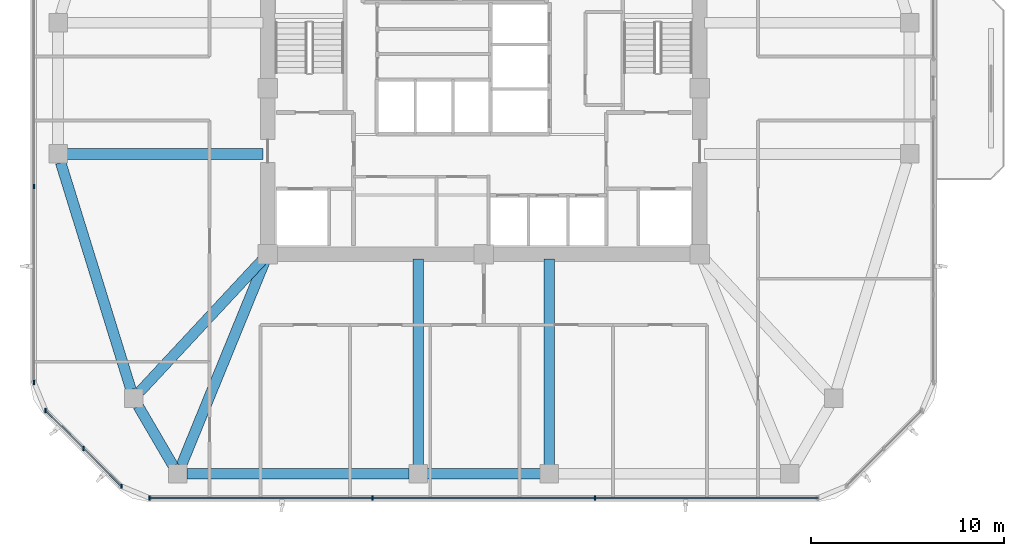
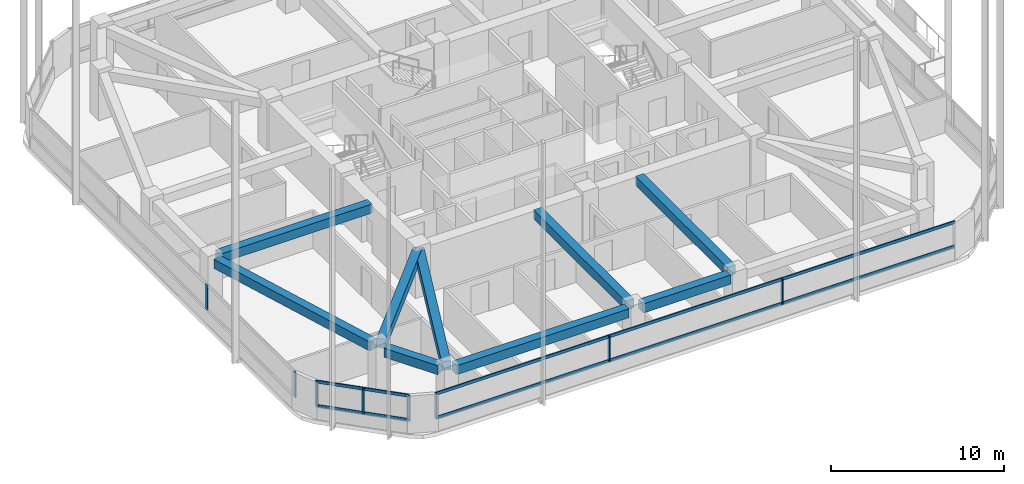
# One storey, part 2 of 14: 12 members, 9 beams, 3 elements without a shape of their own.
"""IFC4 building model written with IfcOpenShell, lengths in metres."""

from ifc_helpers import new_model, si_unit, derived_unit, direction, frame, origin, origin_2d, place, context, subcontext, project, spatial, rectangle, extrude, material, material_profile, profile_set, type_object, element, aggregate, save


model = new_model("IFC4")

# Units and contexts
model_context = context("Model", 3, precision=1e-05, world=origin(), true_north=direction((0.0, 1.0)))
body_context = subcontext(model_context, "Body", "Model", "MODEL_VIEW")
ifc_project = project(units=[si_unit("LENGTHUNIT", "METRE"), si_unit("AREAUNIT", "SQUARE_METRE"), si_unit("VOLUMEUNIT", "CUBIC_METRE"), si_unit("PLANEANGLEUNIT", "RADIAN"), si_unit("MASSUNIT", "GRAM", prefix="KILO"), derived_unit("THERMALTRANSMITTANCEUNIT", [(si_unit("POWERUNIT", "WATT"), 1), (si_unit("LENGTHUNIT", "METRE"), -2), (si_unit("THERMODYNAMICTEMPERATUREUNIT", "KELVIN"), -1)])], contexts=[model_context])

# Site, building, storey
site_placement = place(None, origin())
site = spatial("IfcSite", under=ifc_project, at=site_placement, CompositionType="ELEMENT")
building_placement = place(site_placement, origin())
building = spatial("IfcBuilding", under=site, at=building_placement, Name="Koralith Skygarden Medical Center", CompositionType="ELEMENT")
storey_placement = place(building_placement, frame((0.0, 0.0, 174.419921875)))
storey = spatial("IfcBuildingStorey", under=building, at=storey_placement, Name="L45", CompositionType="ELEMENT", Elevation=174.419921875)

# Curtain wall, members
ifc_material_1 = material(Name="Clear Laminated Glass", Category="glass")
curtain_wall_type = type_object("IfcCurtainWallType", Name="CW-4 Zone 3 Waist High-Wind Curtain Wall", PredefinedType="NOTDEFINED", material=ifc_material_1)
curtain_wall_1_placement = place(storey_placement, origin())
curtain_wall_1 = element("IfcCurtainWall", 1, at=curtain_wall_1_placement, inside=storey, type_object=curtain_wall_type, Name="Curtain Wall CW-L45-S", PredefinedType="NOTDEFINED")
ifc_material_2 = material(Name="Aluminium 6063-T6", Category="aluminium")
ifc_material_profile_1 = material_profile(ifc_material_2, rectangle(XDim=0.076904296875, YDim=0.22998046875, at=origin_2d()), Name="MUL77X230")
ifc_profile_set_1 = profile_set([ifc_material_profile_1], Name="Aluminium 6063-T6")
member_type_1 = type_object("IfcMemberType", Name="CW-4 Extruded Mullion 77x230", PredefinedType="MULLION", material=ifc_profile_set_1)
member_1_placement = place(storey_placement, frame((19.6708984375, 4.679931640625, 0.85009765625), z_axis=(0.0, 0.0, 1.0), x_axis=(1.0, 0.0, 0.0)))
member_1 = element("IfcMember", 2, at=member_1_placement, type_object=member_type_1, Name="CW-L45-S Mullion 1", PredefinedType="MULLION", context=body_context, shape_type="SweptSolid", body=[
    extrude(rectangle(XDim=0.076904296875, YDim=0.22998046875, at=origin_2d()), origin(), (0.0, 0.0, 1.0), 1.800048828125),
])
member_2_placement = place(storey_placement, frame((31.22412109375, 4.679931640625, 0.85009765625), z_axis=(0.0, 0.0, 1.0), x_axis=(1.0, 0.0, 0.0)))
member_2 = element("IfcMember", 3, at=member_2_placement, type_object=member_type_1, Name="CW-L45-S Mullion 2", PredefinedType="MULLION", context=body_context, shape_type="SweptSolid", body=[
    extrude(rectangle(XDim=0.076904296875, YDim=0.22998046875, at=origin_2d()), origin(), (0.0, 0.0, 1.0), 1.800048828125),
])
member_3_placement = place(storey_placement, frame((42.77587890625, 4.679931640625, 0.85009765625), z_axis=(0.0, 0.0, 1.0), x_axis=(1.0, 0.0, 0.0)))
member_3 = element("IfcMember", 4, at=member_3_placement, type_object=member_type_1, Name="CW-L45-S Mullion 3", PredefinedType="MULLION", context=body_context, shape_type="SweptSolid", body=[
    extrude(rectangle(XDim=0.076904296875, YDim=0.22998046875, at=origin_2d()), origin(), (0.0, 0.0, 1.0), 1.800048828125),
])

curtain_wall_2_placement = place(storey_placement, origin())
curtain_wall_2 = element("IfcCurtainWall", 5, at=curtain_wall_2_placement, inside=storey, type_object=curtain_wall_type, Name="Curtain Wall CW-L45-W", PredefinedType="NOTDEFINED")
member_4_placement = place(storey_placement, frame((13.696044921875, 20.818115234375, 0.85009765625), z_axis=(0.0, 0.0, 1.0), x_axis=(1.0, 0.0, 0.0)))
member_4 = element("IfcMember", 6, at=member_4_placement, type_object=member_type_1, Name="CW-L45-W Mullion 3", PredefinedType="MULLION", context=body_context, shape_type="SweptSolid", body=[
    extrude(rectangle(XDim=0.076904296875, YDim=0.22998046875, at=origin_2d()), origin(), (0.0, 0.0, 1.0), 1.800048828125),
])
member_5_placement = place(storey_placement, frame((13.696044921875, 10.655029296875, 0.85009765625), z_axis=(0.0, 0.0, 1.0), x_axis=(1.0, 0.0, 0.0)))
member_5 = element("IfcMember", 7, at=member_5_placement, type_object=member_type_1, Name="CW-L45-W Mullion 4", PredefinedType="MULLION", context=body_context, shape_type="SweptSolid", body=[
    extrude(rectangle(XDim=0.076904296875, YDim=0.22998046875, at=origin_2d()), origin(), (0.0, 0.0, 1.0), 1.800048828125),
])
aggregate(curtain_wall_2, [member_4, member_5])

curtain_wall_3_placement = place(storey_placement, origin())
curtain_wall_3 = element("IfcCurtainWall", 8, at=curtain_wall_3_placement, inside=storey, type_object=curtain_wall_type, Name="Curtain Wall CW-L45-SW", PredefinedType="NOTDEFINED")
member_6_placement = place(storey_placement, frame((14.297119140625, 9.2041015625, 0.85009765625), z_axis=(0.0, 0.0, 1.0), x_axis=(1.0, 0.0, 0.0)))
member_6 = element("IfcMember", 9, at=member_6_placement, type_object=member_type_1, Name="CW-L45-SW Mullion 1", PredefinedType="MULLION", context=body_context, shape_type="SweptSolid", body=[
    extrude(rectangle(XDim=0.076904296875, YDim=0.22998046875, at=origin_2d()), origin(), (0.0, 0.0, 1.0), 1.800048828125),
])
member_7_placement = place(storey_placement, frame((16.258056640625, 7.241943359375, 0.85009765625), z_axis=(0.0, 0.0, 1.0), x_axis=(1.0, 0.0, 0.0)))
member_7 = element("IfcMember", 10, at=member_7_placement, type_object=member_type_1, Name="CW-L45-SW Mullion 2", PredefinedType="MULLION", context=body_context, shape_type="SweptSolid", body=[
    extrude(rectangle(XDim=0.076904296875, YDim=0.22998046875, at=origin_2d()), origin(), (0.0, 0.0, 1.0), 1.800048828125),
])
member_8_placement = place(storey_placement, frame((18.219970703125, 5.281005859375, 0.85009765625), z_axis=(0.0, 0.0, 1.0), x_axis=(1.0, 0.0, 0.0)))
member_8 = element("IfcMember", 11, at=member_8_placement, type_object=member_type_1, Name="CW-L45-SW Mullion 3", PredefinedType="MULLION", context=body_context, shape_type="SweptSolid", body=[
    extrude(rectangle(XDim=0.076904296875, YDim=0.22998046875, at=origin_2d()), origin(), (0.0, 0.0, 1.0), 1.800048828125),
])

# Member
ifc_material_profile_2 = material_profile(ifc_material_2, rectangle(XDim=0.072021484375, YDim=0.20703125, at=origin_2d()), Name="TRN72X207")
ifc_profile_set_2 = profile_set([ifc_material_profile_2], Name="Aluminium 6063-T6")
member_type_2 = type_object("IfcMemberType", Name="CW-4 Thermal Transom 72x207", PredefinedType="USERDEFINED", material=ifc_profile_set_2)
member_9_placement = place(storey_placement, frame((19.6708984375, 4.679931640625, 0.900146484375), z_axis=(1.0, 0.0, 0.0), x_axis=(0.0, 1.0, 0.0)))
member_9 = element("IfcMember", 12, at=member_9_placement, type_object=member_type_2, Name="CW-L45-S Transom 1", ObjectType="TRANSOM", PredefinedType="USERDEFINED", context=body_context, shape_type="SweptSolid", body=[
    extrude(rectangle(XDim=0.072021484375, YDim=0.20703125, at=origin_2d()), origin(), (0.0, 0.0, 1.0), 34.658203125),
])

member_10_placement = place(storey_placement, frame((19.6708984375, 4.679931640625, 2.60009765625), z_axis=(1.0, 0.0, 0.0), x_axis=(0.0, 1.0, 0.0)))
member_10 = element("IfcMember", 13, at=member_10_placement, type_object=member_type_2, Name="CW-L45-S Transom 2", ObjectType="TRANSOM", PredefinedType="USERDEFINED", context=body_context, shape_type="SweptSolid", body=[
    extrude(rectangle(XDim=0.072021484375, YDim=0.20703125, at=origin_2d()), origin(), (0.0, 0.0, 1.0), 34.658203125),
])

aggregate(curtain_wall_1, [member_1, member_2, member_3, member_9, member_10])

member_11_placement = place(storey_placement, frame((14.297119140625, 9.2041015625, 0.900146484375), z_axis=(0.707084777957, -0.707128783731, 0.0), x_axis=(0.707128783731, 0.707084777957, 0.0)))
member_11 = element("IfcMember", 14, at=member_11_placement, type_object=member_type_2, Name="CW-L45-SW Transom 1", ObjectType="TRANSOM", PredefinedType="USERDEFINED", context=body_context, shape_type="SweptSolid", body=[
    extrude(rectangle(XDim=0.072021484375, YDim=0.20703125, at=origin_2d()), origin(), (0.0, 0.0, 1.0), 5.5478515625),
])

member_12_placement = place(storey_placement, frame((14.297119140625, 9.2041015625, 2.60009765625), z_axis=(0.707084777957, -0.707128783731, 0.0), x_axis=(0.707128783731, 0.707084777957, 0.0)))
member_12 = element("IfcMember", 15, at=member_12_placement, type_object=member_type_2, Name="CW-L45-SW Transom 2", ObjectType="TRANSOM", PredefinedType="USERDEFINED", context=body_context, shape_type="SweptSolid", body=[
    extrude(rectangle(XDim=0.072021484375, YDim=0.20703125, at=origin_2d()), origin(), (0.0, 0.0, 1.0), 5.5478515625),
])

aggregate(curtain_wall_3, [member_6, member_7, member_8, member_11, member_12])

# Beams
ifc_material_3 = material(Name="Concrete C45/55", Category="concrete")
ifc_material_profile_3 = material_profile(ifc_material_3, rectangle(XDim=0.550048828125, YDim=0.639892578125, at=origin_2d()), Name="RCB550X640")
ifc_profile_set_3 = profile_set([ifc_material_profile_3], Name="Concrete C45/55")
beam_type_1 = type_object("IfcBeamType", Name="Radial Collector Beam RCB550X640", PredefinedType="BEAM", material=ifc_profile_set_3)
beam_1_placement = place(storey_placement, frame((25.550048828125, 22.5, 2.97998046875), z_axis=(-1.0, 0.0, 0.0), x_axis=(0.0, -1.0, 0.0)))
element("IfcBeam", 16, at=beam_1_placement, inside=storey, type_object=beam_type_1, Name="L45 Radial Collector Beam RB-01", PredefinedType="BEAM", context=body_context, shape_type="SweptSolid", body=[
    extrude(rectangle(XDim=0.550048828125, YDim=0.639892578125, at=origin_2d()), origin(), (0.0, 0.0, 1.0), 10.14404296875),
])
beam_2_placement = place(storey_placement, frame((25.6298828125, 17.116943359375, 2.97998046875), z_axis=(-0.681369011591, -0.731940072713, 0.0), x_axis=(0.731940072713, -0.681369011591, 0.0)))
element("IfcBeam", 17, at=beam_2_placement, inside=storey, type_object=beam_type_1, Name="L45 Radial Collector Beam RB-02", PredefinedType="BEAM", context=body_context, shape_type="SweptSolid", body=[
    extrude(rectangle(XDim=0.550048828125, YDim=0.639892578125, at=origin_2d()), origin(), (0.0, 0.0, 1.0), 9.471923828125),
])
beam_3_placement = place(storey_placement, frame((25.705078125, 17.069091796875, 2.97998046875), z_axis=(-0.378344544364, -0.92566484526, 0.0), x_axis=(0.92566484526, -0.378344544364, 0.0)))
element("IfcBeam", 18, at=beam_3_placement, inside=storey, type_object=beam_type_1, Name="L45 Radial Collector Beam RB-03", PredefinedType="BEAM", context=body_context, shape_type="SweptSolid", body=[
    extrude(rectangle(XDim=0.550048828125, YDim=0.639892578125, at=origin_2d()), origin(), (0.0, 0.0, 1.0), 11.574462890625),
])
for number, where, z_axis, x_axis, name in (
    (19, (33.60009765625, 17.050048828125, 2.97998046875), (0.0, -1.0, 0.0), (1.0, 0.0, 0.0), "L45 Radial Collector Beam RB-04"),
    (20, (40.39990234375, 17.050048828125, 2.97998046875), (0.0, -1.0, 0.0), (1.0, 0.0, 0.0), "L45 Radial Collector Beam RB-05"),
):
    element("IfcBeam", number, at=place(storey_placement, frame(where, z_axis=z_axis, x_axis=x_axis)), inside=storey, type_object=beam_type_1, Name=name, PredefinedType="BEAM", context=body_context, shape_type="SweptSolid", body=[
        extrude(rectangle(XDim=0.550048828125, YDim=0.639892578125, at=origin_2d()), origin(), (0.0, 0.0, 1.0), 10.66015625),
    ])
ifc_material_profile_4 = material_profile(ifc_material_3, rectangle(XDim=0.550048828125, YDim=0.639892578125, at=origin_2d()), Name="RCB550X640")
ifc_profile_set_4 = profile_set([ifc_material_profile_4], Name="Concrete C45/55")
beam_type_2 = type_object("IfcBeamType", Name="Zone 2-3 Spandrel Beam RCB550X640", PredefinedType="SPANDREL", material=ifc_profile_set_4)
beam_4_placement = place(storey_placement, frame((15.074951171875, 22.051025390625, 2.97998046875), z_axis=(0.295793585147, -0.955251880389, 0.0), x_axis=(0.955251880389, 0.295793585147, 0.0)))
element("IfcBeam", 21, at=beam_4_placement, inside=storey, type_object=beam_type_2, Name="L45 Perimeter Spandrel Beam SP-01", PredefinedType="SPANDREL", context=body_context, shape_type="SweptSolid", body=[
    extrude(rectangle(XDim=0.550048828125, YDim=0.639892578125, at=origin_2d()), origin(), (0.0, 0.0, 1.0), 12.31298828125),
])
beam_5_placement = place(storey_placement, frame((19.093017578125, 9.43408203125, 2.97998046875), z_axis=(0.504861391295, -0.863200426077, 0.0), x_axis=(0.863200426077, 0.504861391295, 0.0)))
element("IfcBeam", 22, at=beam_5_placement, inside=storey, type_object=beam_type_2, Name="L45 Perimeter Spandrel Beam SP-02", PredefinedType="SPANDREL", context=body_context, shape_type="SweptSolid", body=[
    extrude(rectangle(XDim=0.550048828125, YDim=0.639892578125, at=origin_2d()), origin(), (0.0, 0.0, 1.0), 3.600830078125),
])
beam_6_placement = place(storey_placement, frame((21.617919921875, 5.919921875, 2.97998046875), z_axis=(1.0, 0.0, 0.0), x_axis=(0.0, 1.0, 0.0)))
element("IfcBeam", 23, at=beam_6_placement, inside=storey, type_object=beam_type_2, Name="L45 Perimeter Spandrel Beam SP-03", PredefinedType="SPANDREL", context=body_context, shape_type="SweptSolid", body=[
    extrude(rectangle(XDim=0.550048828125, YDim=0.639892578125, at=origin_2d()), origin(), (0.0, 0.0, 1.0), 11.511962890625),
])
beam_7_placement = place(storey_placement, frame((34.070068359375, 5.919921875, 2.97998046875), z_axis=(1.0, 0.0, 0.0), x_axis=(0.0, 1.0, 0.0)))
element("IfcBeam", 24, at=beam_7_placement, inside=storey, type_object=beam_type_2, Name="L45 Perimeter Spandrel Beam SP-04", PredefinedType="SPANDREL", context=body_context, shape_type="SweptSolid", body=[
    extrude(rectangle(XDim=0.550048828125, YDim=0.639892578125, at=origin_2d()), origin(), (0.0, 0.0, 1.0), 5.85986328125),
])

save(model, "model.ifc")
